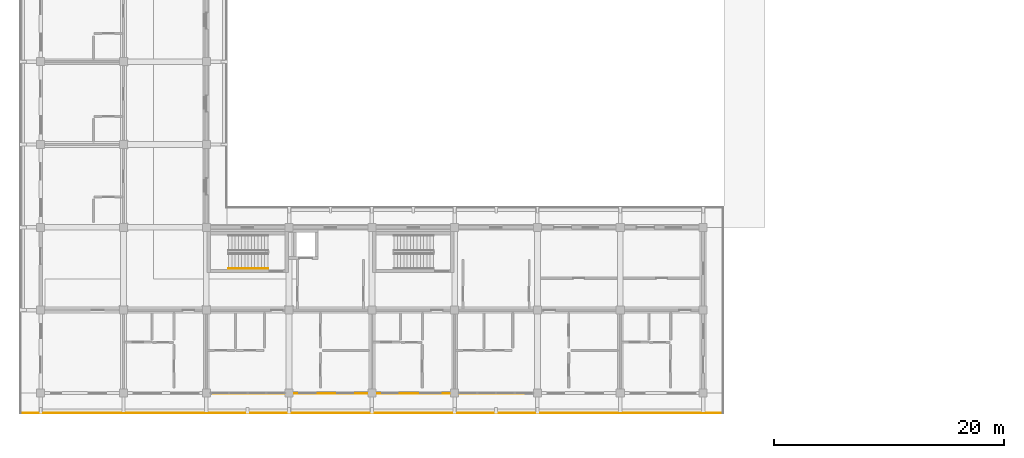
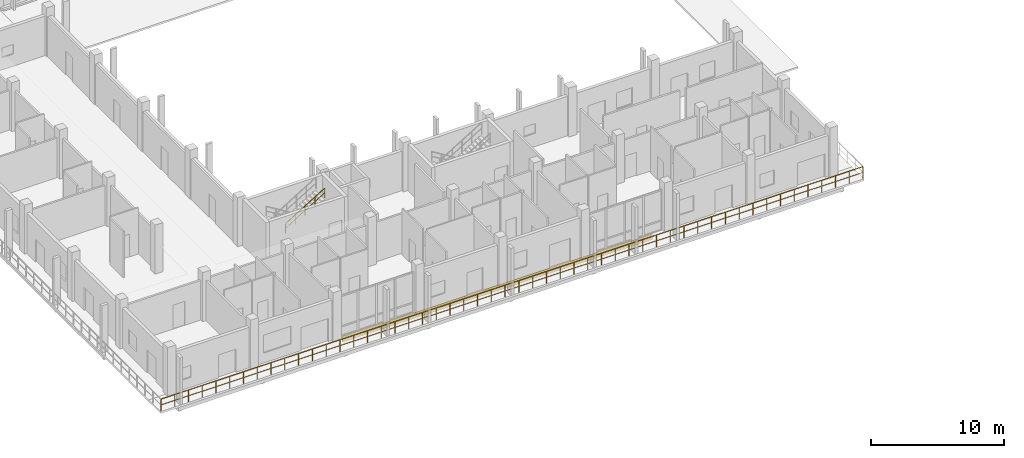
# One storey, part 93 of 110: 2 railings, 1 covering.
"""IFC4 building model written with IfcOpenShell, lengths in metres."""

from ifc_helpers import new_model, si_unit, direction, frame, origin, origin_2d, place, context, subcontext, project, spatial, polyline, rectangle, outline, extrude, material, layer, layer_set, type_object, element, save


model = new_model("IFC4")

# Units and contexts
model_context = context("Model", 3, precision=1e-05, world=origin(), true_north=direction((0.0, 1.0)))
body_context = subcontext(model_context, "Body", "Model", "MODEL_VIEW")
ifc_project = project(units=[si_unit("LENGTHUNIT", "METRE"), si_unit("AREAUNIT", "SQUARE_METRE"), si_unit("VOLUMEUNIT", "CUBIC_METRE"), si_unit("PLANEANGLEUNIT", "RADIAN"), si_unit("MASSUNIT", "GRAM", prefix="KILO")], contexts=[model_context])

# Site, building, storey
site_placement = place(None, origin())
site = spatial("IfcSite", under=ifc_project, at=site_placement, CompositionType="ELEMENT")
building_placement = place(site_placement, origin())
building = spatial("IfcBuilding", under=site, at=building_placement, Name="Suanplinth Sawtooth Commons", CompositionType="ELEMENT")
storey_placement = place(building_placement, frame((0.0, 0.0, 4.5)))
storey = spatial("IfcBuildingStorey", under=building, at=storey_placement, Name="L01", CompositionType="ELEMENT", Elevation=4.5)

# Covering
ifc_material_1 = material(Name="Pigmented architectural fibre-cement cladding")
ifc_layer = layer(ifc_material_1, 0.044921875, Name="Precast terracotta-toned spandrel rainscreen 45mm")
ifc_layer_set = layer_set([ifc_layer], Name="Pigmented architectural fibre-cement cladding")
covering_type = type_object("IfcCoveringType", Name="CV-CL01", PredefinedType="CLADDING", material=ifc_layer_set)
covering_placement = place(storey_placement, frame((0.0, 0.0, -0.550048828125)))
element("IfcCovering", 1, at=covering_placement, inside=storey, type_object=covering_type, Name="Terracotta Spandrel Fascia Band D", PredefinedType="CLADDING", context=body_context, shape_type="SweptSolid", body=[
    extrude(outline(polyline([(15.0, -0.070068359375), (42.0, -0.070068359375), (42.0, -0.02001953125), (15.0, -0.02001953125), (15.0, -0.070068359375)])), origin(), (0.0, 0.0, 1.0), 0.5),
])

# Railings
ifc_material_2 = material(Name="Powder-coated galvanized steel", Category="steel")
railing_type_1 = type_object("IfcRailingType", Name="GR-01", PredefinedType="BALUSTRADE", material=ifc_material_2)
railing_1_placement = place(storey_placement, frame((59.340087890625, -1.739990234375, 0.0)))
element("IfcRailing", 2, at=railing_1_placement, inside=storey, type_object=railing_type_1, Name="L01 Block D Perimeter Balustrade 6", PredefinedType="BALUSTRADE", context=body_context, shape_type="SweptSolid", body=[
    extrude(rectangle(XDim=0.048095703125, YDim=0.048095703125, at=origin_2d()), frame((0.0, 0.0, 1.09619140625), z_axis=(-1.0, 0.0, 0.0), x_axis=(0.0, -1.0, 0.0)), (0.0, 0.0, 1.0), 61.080078125),
    extrude(rectangle(XDim=0.03369140625, YDim=0.03369140625, at=origin_2d()), frame((0.0, 0.0, 0.56005859375), z_axis=(-1.0, 0.0, 0.0), x_axis=(0.0, -1.0, 0.0)), (0.0, 0.0, 1.0), 61.080078125),
    extrude(rectangle(XDim=0.0419921875, YDim=0.0419921875, at=origin_2d()), origin(), (0.0, 0.0, 1.0), 1.072021484375),
    extrude(rectangle(XDim=0.0419921875, YDim=0.0419921875, at=origin_2d()), frame((-1.19775390625, 0.0, 0.0)), (0.0, 0.0, 1.0), 1.072021484375),
    extrude(rectangle(XDim=0.0419921875, YDim=0.0419921875, at=origin_2d()), frame((-2.395263671875, 0.0, 0.0)), (0.0, 0.0, 1.0), 1.072021484375),
    extrude(rectangle(XDim=0.0419921875, YDim=0.0419921875, at=origin_2d()), frame((-3.593017578125, 0.0, 0.0)), (0.0, 0.0, 1.0), 1.072021484375),
    extrude(rectangle(XDim=0.0419921875, YDim=0.0419921875, at=origin_2d()), frame((-4.79052734375, 0.0, 0.0)), (0.0, 0.0, 1.0), 1.072021484375),
    extrude(rectangle(XDim=0.0419921875, YDim=0.0419921875, at=origin_2d()), frame((-5.98828125, 0.0, 0.0)), (0.0, 0.0, 1.0), 1.072021484375),
    extrude(rectangle(XDim=0.0419921875, YDim=0.0419921875, at=origin_2d()), frame((-7.185791015625, 0.0, 0.0)), (0.0, 0.0, 1.0), 1.072021484375),
    extrude(rectangle(XDim=0.0419921875, YDim=0.0419921875, at=origin_2d()), frame((-8.383544921875, 0.0, 0.0)), (0.0, 0.0, 1.0), 1.072021484375),
    extrude(rectangle(XDim=0.0419921875, YDim=0.0419921875, at=origin_2d()), frame((-9.581298828125, 0.0, 0.0)), (0.0, 0.0, 1.0), 1.072021484375),
    extrude(rectangle(XDim=0.0419921875, YDim=0.0419921875, at=origin_2d()), frame((-10.77880859375, 0.0, 0.0)), (0.0, 0.0, 1.0), 1.072021484375),
    extrude(rectangle(XDim=0.0419921875, YDim=0.0419921875, at=origin_2d()), frame((-11.9765625, 0.0, 0.0)), (0.0, 0.0, 1.0), 1.072021484375),
    extrude(rectangle(XDim=0.0419921875, YDim=0.0419921875, at=origin_2d()), frame((-13.174072265625, 0.0, 0.0)), (0.0, 0.0, 1.0), 1.072021484375),
    extrude(rectangle(XDim=0.0419921875, YDim=0.0419921875, at=origin_2d()), frame((-14.371826171875, 0.0, 0.0)), (0.0, 0.0, 1.0), 1.072021484375),
    extrude(rectangle(XDim=0.0419921875, YDim=0.0419921875, at=origin_2d()), frame((-15.5693359375, 0.0, 0.0)), (0.0, 0.0, 1.0), 1.072021484375),
    extrude(rectangle(XDim=0.0419921875, YDim=0.0419921875, at=origin_2d()), frame((-16.76708984375, 0.0, 0.0)), (0.0, 0.0, 1.0), 1.072021484375),
    extrude(rectangle(XDim=0.0419921875, YDim=0.0419921875, at=origin_2d()), frame((-17.96484375, 0.0, 0.0)), (0.0, 0.0, 1.0), 1.072021484375),
    extrude(rectangle(XDim=0.0419921875, YDim=0.0419921875, at=origin_2d()), frame((-19.162353515625, 0.0, 0.0)), (0.0, 0.0, 1.0), 1.072021484375),
    extrude(rectangle(XDim=0.0419921875, YDim=0.0419921875, at=origin_2d()), frame((-20.360107421875, 0.0, 0.0)), (0.0, 0.0, 1.0), 1.072021484375),
    extrude(rectangle(XDim=0.0419921875, YDim=0.0419921875, at=origin_2d()), frame((-21.5576171875, 0.0, 0.0)), (0.0, 0.0, 1.0), 1.072021484375),
    extrude(rectangle(XDim=0.0419921875, YDim=0.0419921875, at=origin_2d()), frame((-22.75537109375, 0.0, 0.0)), (0.0, 0.0, 1.0), 1.072021484375),
    extrude(rectangle(XDim=0.0419921875, YDim=0.0419921875, at=origin_2d()), frame((-23.952880859375, 0.0, 0.0)), (0.0, 0.0, 1.0), 1.072021484375),
    extrude(rectangle(XDim=0.0419921875, YDim=0.0419921875, at=origin_2d()), frame((-25.150634765625, 0.0, 0.0)), (0.0, 0.0, 1.0), 1.072021484375),
    extrude(rectangle(XDim=0.0419921875, YDim=0.0419921875, at=origin_2d()), frame((-26.348388671875, 0.0, 0.0)), (0.0, 0.0, 1.0), 1.072021484375),
    extrude(rectangle(XDim=0.0419921875, YDim=0.0419921875, at=origin_2d()), frame((-27.5458984375, 0.0, 0.0)), (0.0, 0.0, 1.0), 1.072021484375),
    extrude(rectangle(XDim=0.0419921875, YDim=0.0419921875, at=origin_2d()), frame((-28.74365234375, 0.0, 0.0)), (0.0, 0.0, 1.0), 1.072021484375),
    extrude(rectangle(XDim=0.0419921875, YDim=0.0419921875, at=origin_2d()), frame((-29.941162109375, 0.0, 0.0)), (0.0, 0.0, 1.0), 1.072021484375),
    extrude(rectangle(XDim=0.0419921875, YDim=0.0419921875, at=origin_2d()), frame((-31.138916015625, 0.0, 0.0)), (0.0, 0.0, 1.0), 1.072021484375),
    extrude(rectangle(XDim=0.0419921875, YDim=0.0419921875, at=origin_2d()), frame((-32.33642578125, 0.0, 0.0)), (0.0, 0.0, 1.0), 1.072021484375),
    extrude(rectangle(XDim=0.0419921875, YDim=0.0419921875, at=origin_2d()), frame((-33.5341796875, 0.0, 0.0)), (0.0, 0.0, 1.0), 1.072021484375),
    extrude(rectangle(XDim=0.0419921875, YDim=0.0419921875, at=origin_2d()), frame((-34.731689453125, 0.0, 0.0)), (0.0, 0.0, 1.0), 1.072021484375),
    extrude(rectangle(XDim=0.0419921875, YDim=0.0419921875, at=origin_2d()), frame((-35.929443359375, 0.0, 0.0)), (0.0, 0.0, 1.0), 1.072021484375),
    extrude(rectangle(XDim=0.0419921875, YDim=0.0419921875, at=origin_2d()), frame((-37.127197265625, 0.0, 0.0)), (0.0, 0.0, 1.0), 1.072021484375),
    extrude(rectangle(XDim=0.0419921875, YDim=0.0419921875, at=origin_2d()), frame((-38.32470703125, 0.0, 0.0)), (0.0, 0.0, 1.0), 1.072021484375),
    extrude(rectangle(XDim=0.0419921875, YDim=0.0419921875, at=origin_2d()), frame((-39.5224609375, 0.0, 0.0)), (0.0, 0.0, 1.0), 1.072021484375),
    extrude(rectangle(XDim=0.0419921875, YDim=0.0419921875, at=origin_2d()), frame((-40.719970703125, 0.0, 0.0)), (0.0, 0.0, 1.0), 1.072021484375),
    extrude(rectangle(XDim=0.0419921875, YDim=0.0419921875, at=origin_2d()), frame((-41.917724609375, 0.0, 0.0)), (0.0, 0.0, 1.0), 1.072021484375),
    extrude(rectangle(XDim=0.0419921875, YDim=0.0419921875, at=origin_2d()), frame((-43.115234375, 0.0, 0.0)), (0.0, 0.0, 1.0), 1.072021484375),
    extrude(rectangle(XDim=0.0419921875, YDim=0.0419921875, at=origin_2d()), frame((-44.31298828125, 0.0, 0.0)), (0.0, 0.0, 1.0), 1.072021484375),
    extrude(rectangle(XDim=0.0419921875, YDim=0.0419921875, at=origin_2d()), frame((-45.5107421875, 0.0, 0.0)), (0.0, 0.0, 1.0), 1.072021484375),
    extrude(rectangle(XDim=0.0419921875, YDim=0.0419921875, at=origin_2d()), frame((-46.708251953125, 0.0, 0.0)), (0.0, 0.0, 1.0), 1.072021484375),
    extrude(rectangle(XDim=0.0419921875, YDim=0.0419921875, at=origin_2d()), frame((-47.906005859375, 0.0, 0.0)), (0.0, 0.0, 1.0), 1.072021484375),
    extrude(rectangle(XDim=0.0419921875, YDim=0.0419921875, at=origin_2d()), frame((-49.103515625, 0.0, 0.0)), (0.0, 0.0, 1.0), 1.072021484375),
    extrude(rectangle(XDim=0.0419921875, YDim=0.0419921875, at=origin_2d()), frame((-50.30126953125, 0.0, 0.0)), (0.0, 0.0, 1.0), 1.072021484375),
    extrude(rectangle(XDim=0.0419921875, YDim=0.0419921875, at=origin_2d()), frame((-51.498779296875, 0.0, 0.0)), (0.0, 0.0, 1.0), 1.072021484375),
    extrude(rectangle(XDim=0.0419921875, YDim=0.0419921875, at=origin_2d()), frame((-52.696533203125, 0.0, 0.0)), (0.0, 0.0, 1.0), 1.072021484375),
    extrude(rectangle(XDim=0.0419921875, YDim=0.0419921875, at=origin_2d()), frame((-53.894287109375, 0.0, 0.0)), (0.0, 0.0, 1.0), 1.072021484375),
    extrude(rectangle(XDim=0.0419921875, YDim=0.0419921875, at=origin_2d()), frame((-55.091796875, 0.0, 0.0)), (0.0, 0.0, 1.0), 1.072021484375),
    extrude(rectangle(XDim=0.0419921875, YDim=0.0419921875, at=origin_2d()), frame((-56.28955078125, 0.0, 0.0)), (0.0, 0.0, 1.0), 1.072021484375),
    extrude(rectangle(XDim=0.0419921875, YDim=0.0419921875, at=origin_2d()), frame((-57.487060546875, 0.0, 0.0)), (0.0, 0.0, 1.0), 1.072021484375),
    extrude(rectangle(XDim=0.0419921875, YDim=0.0419921875, at=origin_2d()), frame((-58.684814453125, 0.0, 0.0)), (0.0, 0.0, 1.0), 1.072021484375),
    extrude(rectangle(XDim=0.0419921875, YDim=0.0419921875, at=origin_2d()), frame((-59.88232421875, 0.0, 0.0)), (0.0, 0.0, 1.0), 1.072021484375),
    extrude(rectangle(XDim=0.0419921875, YDim=0.0419921875, at=origin_2d()), frame((-61.080078125, 0.0, 0.0)), (0.0, 0.0, 1.0), 1.072021484375),
])
ifc_material_3 = material(Name="Stainless steel Grade 304", Category="steel")
railing_type_2 = type_object("IfcRailingType", Name="HR-01", PredefinedType="HANDRAIL", material=ifc_material_3)
railing_2_placement = place(storey_placement, frame((16.330078125, 10.800048828125, 2.423095703125)))
element("IfcRailing", 3, at=railing_2_placement, inside=storey, type_object=railing_type_2, Name="L01 ST-W1 Handrail 2", PredefinedType="HANDRAIL", context=body_context, shape_type="SweptSolid", body=[
    extrude(rectangle(XDim=0.048095703125, YDim=0.048095703125, at=origin_2d()), frame((0.0, 0.0, 0.8759765625), z_axis=(0.854729506542, 0.0, 0.519073665916), x_axis=(0.0, 1.0, 0.0)), (0.0, 0.0, 1.0), 4.001220703125),
    extrude(rectangle(XDim=0.03369140625, YDim=0.03369140625, at=origin_2d()), frame((0.0, 0.0, 0.449951171875), z_axis=(0.854729506542, 0.0, 0.519073665916), x_axis=(0.0, 1.0, 0.0)), (0.0, 0.0, 1.0), 4.001220703125),
    extrude(rectangle(XDim=0.0419921875, YDim=0.0419921875, at=origin_2d()), origin(), (0.0, 0.0, 1.0), 0.851806640625),
    extrude(rectangle(XDim=0.0419921875, YDim=0.0419921875, at=origin_2d()), frame((0.85498046875, 0.0, 0.519287109375)), (0.0, 0.0, 1.0), 0.851806640625),
    extrude(rectangle(XDim=0.0419921875, YDim=0.0419921875, at=origin_2d()), frame((1.7099609375, 0.0, 1.03857421875)), (0.0, 0.0, 1.0), 0.851806640625),
    extrude(rectangle(XDim=0.0419921875, YDim=0.0419921875, at=origin_2d()), frame((2.56494140625, 0.0, 1.5576171875)), (0.0, 0.0, 1.0), 0.851806640625),
    extrude(rectangle(XDim=0.0419921875, YDim=0.0419921875, at=origin_2d()), frame((3.419921875, 0.0, 2.076904296875)), (0.0, 0.0, 1.0), 0.851806640625),
])

save(model, "model.ifc")
